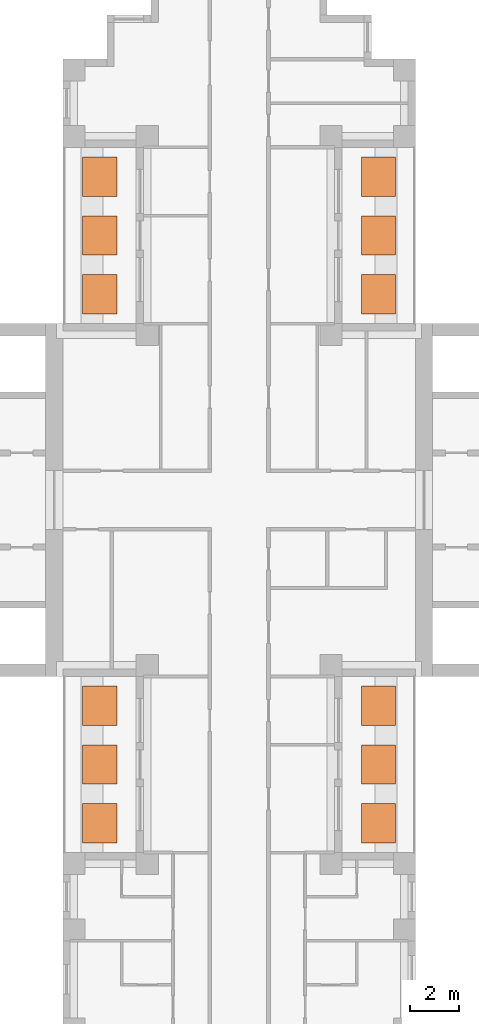
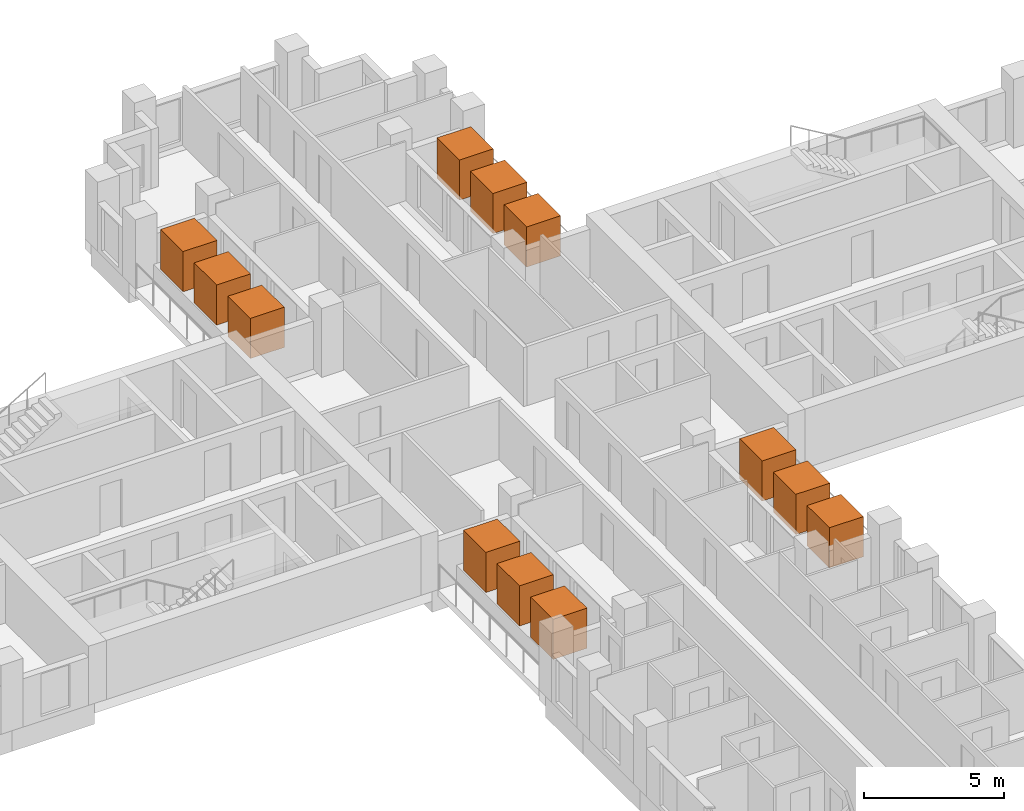
# One storey, part 14 of 14: 12 geographic elements.
"""IFC4 building model written with IfcOpenShell, lengths in metres."""

from ifc_helpers import new_model, si_unit, direction, frame, origin, origin_2d, place, context, subcontext, project, spatial, rectangle, extrude, material, element, save


model = new_model("IFC4")

# Units and contexts
model_context = context("Model", 3, precision=1e-05, world=origin(), true_north=direction((0.0, 1.0)))
body_context = subcontext(model_context, "Body", "Model", "MODEL_VIEW")
ifc_project = project(units=[si_unit("LENGTHUNIT", "METRE"), si_unit("AREAUNIT", "SQUARE_METRE"), si_unit("VOLUMEUNIT", "CUBIC_METRE"), si_unit("PLANEANGLEUNIT", "RADIAN"), si_unit("MASSUNIT", "GRAM", prefix="KILO")], contexts=[model_context])

# Site, building, storey
site_placement = place(None, origin())
site = spatial("IfcSite", under=ifc_project, at=site_placement, CompositionType="ELEMENT")
building_placement = place(site_placement, origin())
building = spatial("IfcBuilding", under=site, at=building_placement, Name="Fustian Cross Tower", CompositionType="ELEMENT")
storey_placement = place(building_placement, frame((0.0, 0.0, 96.89990234375)))
storey = spatial("IfcBuildingStorey", under=building, at=storey_placement, Name="L30", CompositionType="ELEMENT", Elevation=96.89990234375)

# Geographic elements
ifc_material = material(Name="Evergreen foliage")
for number, where, z_axis, x_axis, name in (
    (1, (5.68994140625, 8.39990234375, 0.800048828125), (0.0, 0.0, 1.0), (1.0, 0.0, 0.0), "TREE field maple"),
    (2, (5.68994140625, 10.800048828125, 0.800048828125), (0.0, 0.0, 1.0), (1.0, 0.0, 0.0), "TREE field maple"),
    (3, (5.68994140625, 13.199951171875, 0.800048828125), (0.0, 0.0, 1.0), (1.0, 0.0, 0.0), "TREE field maple"),
    (4, (-5.68994140625, 8.39990234375, 0.800048828125), (0.0, 0.0, 1.0), (1.0, 0.0, 0.0), "TREE field maple"),
    (5, (-5.68994140625, 10.800048828125, 0.800048828125), (0.0, 0.0, 1.0), (1.0, 0.0, 0.0), "TREE field maple"),
    (6, (-5.68994140625, 13.199951171875, 0.800048828125), (0.0, 0.0, 1.0), (1.0, 0.0, 0.0), "TREE field maple"),
    (7, (5.68994140625, -13.199951171875, 0.800048828125), (0.0, 0.0, 1.0), (1.0, 0.0, 0.0), "TREE field maple"),
    (8, (5.68994140625, -10.800048828125, 0.800048828125), (0.0, 0.0, 1.0), (1.0, 0.0, 0.0), "TREE field maple"),
    (9, (5.68994140625, -8.39990234375, 0.800048828125), (0.0, 0.0, 1.0), (1.0, 0.0, 0.0), "TREE field maple"),
    (10, (-5.68994140625, -13.199951171875, 0.800048828125), (0.0, 0.0, 1.0), (1.0, 0.0, 0.0), "TREE field maple"),
    (11, (-5.68994140625, -10.800048828125, 0.800048828125), (0.0, 0.0, 1.0), (1.0, 0.0, 0.0), "TREE field maple"),
    (12, (-5.68994140625, -8.39990234375, 0.800048828125), (0.0, 0.0, 1.0), (1.0, 0.0, 0.0), "TREE field maple"),
):
    element("IfcGeographicElement", number, at=place(storey_placement, frame(where, z_axis=z_axis, x_axis=x_axis)), inside=storey, material=ifc_material, Name=name, ObjectType="VEGETATION", PredefinedType="USERDEFINED", context=body_context, shape_type="SweptSolid", body=[
        extrude(rectangle(XDim=1.39990234375, YDim=1.60009765625, at=origin_2d()), origin(), (0.0, 0.0, 1.0), 1.75),
    ])

save(model, "model.ifc")
